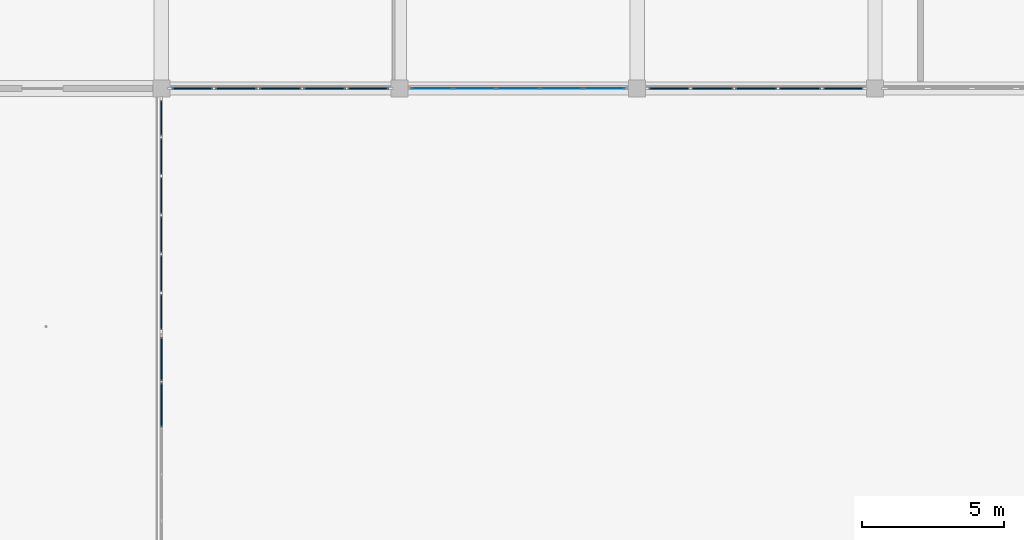
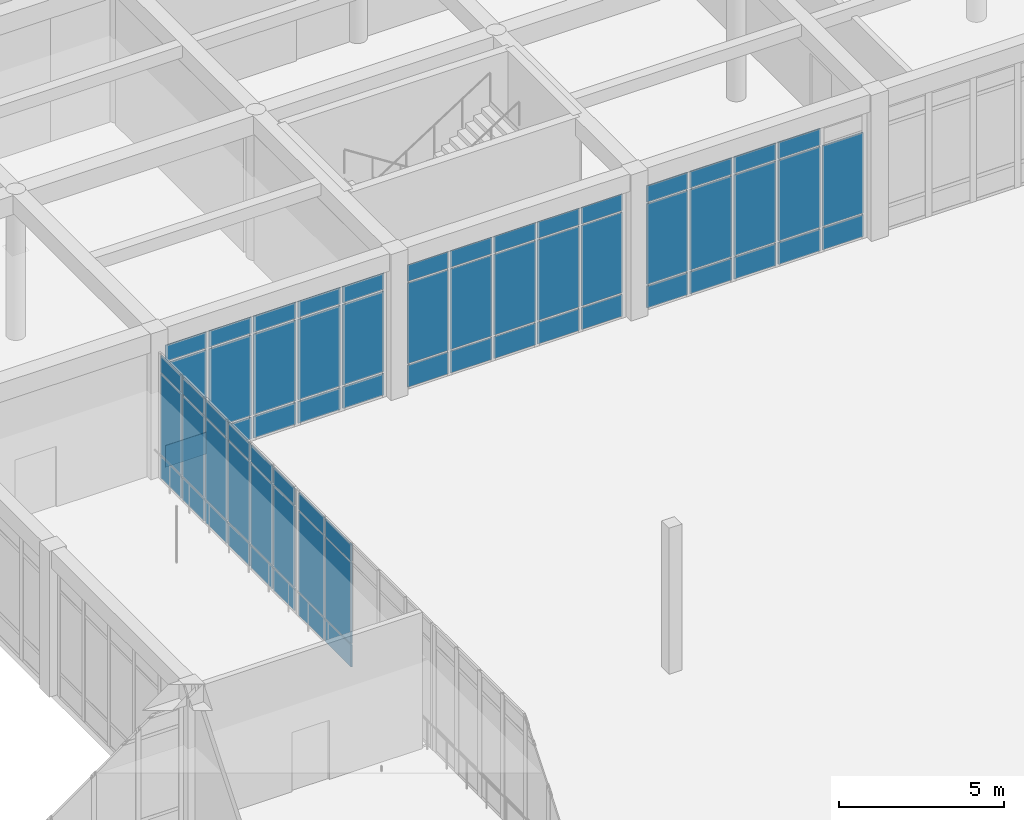
# One storey, part 62 of 157: 68 plates, 5 elements without a shape of their own.
"""IFC4 building model written with IfcOpenShell, lengths in metres."""

from ifc_helpers import new_model, si_unit, direction, frame, origin, origin_2d, place, context, subcontext, project, spatial, rectangle, extrude, material, layer, layer_set, type_object, element, aggregate, save


model = new_model("IFC4")

# Units and contexts
model_context = context("Model", 3, precision=1e-05, world=origin(), true_north=direction((0.0, 1.0)))
body_context = subcontext(model_context, "Body", "Model", "MODEL_VIEW")
ifc_project = project(units=[si_unit("LENGTHUNIT", "METRE"), si_unit("AREAUNIT", "SQUARE_METRE"), si_unit("VOLUMEUNIT", "CUBIC_METRE"), si_unit("PLANEANGLEUNIT", "RADIAN"), si_unit("MASSUNIT", "GRAM", prefix="KILO")], contexts=[model_context])

# Site, building, storey
site_placement = place(None, origin())
site = spatial("IfcSite", under=ifc_project, at=site_placement, CompositionType="ELEMENT")
building_placement = place(site_placement, origin())
building = spatial("IfcBuilding", under=site, at=building_placement, Name="Varncliffe General Hospital", CompositionType="ELEMENT")
storey_placement = place(building_placement, frame((0.0, 0.0, 5.39990234375)))
storey = spatial("IfcBuildingStorey", under=building, at=storey_placement, Name="L01", CompositionType="ELEMENT", Elevation=5.39990234375)

# Curtain wall, plates
ifc_material_1 = material(Name="Triple low-E argon insulated vision glazing", Category="glass")
curtain_wall_type_1 = type_object("IfcCurtainWallType", Name="Unitised Glazed Curtain Wall CW70 (7724x4640)", PredefinedType="USERDEFINED", material=ifc_material_1)
curtain_wall_1_placement = place(storey_placement, origin())
curtain_wall_1 = element("IfcCurtainWall", 1, at=curtain_wall_1_placement, inside=storey, type_object=curtain_wall_type_1, Name="L01 Glazed Curtain Wall CW70-103", ObjectType="GLAZED CURTAIN WALL", PredefinedType="USERDEFINED")
ifc_layer_1 = layer(ifc_material_1, 0.0439453125)
ifc_layer_set_1 = layer_set([ifc_layer_1], Name="Triple low-E argon insulated vision glazing")
plate_type_1 = type_object("IfcPlateType", Name="Curtain Wall Glazing Panel CP12 (44mm)", PredefinedType="CURTAIN_PANEL", material=ifc_layer_set_1)
plate_1_placement = place(storey_placement, frame((91.270751953125, 57.60009765625, 0.06005859375), z_axis=(0.0, 0.0, 1.0), x_axis=(-1.0, 0.0, 0.0)))
plate_1 = element("IfcPlate", 2, at=plate_1_placement, type_object=plate_type_1, Name="CW70 panel 1.1", PredefinedType="CURTAIN_PANEL", context=body_context, shape_type="SweptSolid", body=[
    extrude(rectangle(XDim=1.432373046875, YDim=0.0439453125, at=origin_2d()), origin(), (0.0, 0.0, 1.0), 0.81005859375),
])
plate_2_placement = place(storey_placement, frame((91.270751953125, 57.60009765625, 0.93017578125), z_axis=(0.0, 0.0, 1.0), x_axis=(-1.0, 0.0, 0.0)))
plate_2 = element("IfcPlate", 3, at=plate_2_placement, type_object=plate_type_1, Name="CW70 panel 1.2", PredefinedType="CURTAIN_PANEL", context=body_context, shape_type="SweptSolid", body=[
    extrude(rectangle(XDim=1.432373046875, YDim=0.0439453125, at=origin_2d()), origin(), (0.0, 0.0, 1.0), 2.97998046875),
])
plate_3_placement = place(storey_placement, frame((89.744873046875, 57.60009765625, 0.06005859375), z_axis=(0.0, 0.0, 1.0), x_axis=(-1.0, 0.0, 0.0)))
plate_3 = element("IfcPlate", 4, at=plate_3_placement, type_object=plate_type_1, Name="CW70 panel 2.1", PredefinedType="CURTAIN_PANEL", context=body_context, shape_type="SweptSolid", body=[
    extrude(rectangle(XDim=1.4697265625, YDim=0.0439453125, at=origin_2d()), origin(), (0.0, 0.0, 1.0), 0.81005859375),
])
plate_4_placement = place(storey_placement, frame((89.744873046875, 57.60009765625, 0.93017578125), z_axis=(0.0, 0.0, 1.0), x_axis=(-1.0, 0.0, 0.0)))
plate_4 = element("IfcPlate", 5, at=plate_4_placement, type_object=plate_type_1, Name="CW70 panel 2.2", PredefinedType="CURTAIN_PANEL", context=body_context, shape_type="SweptSolid", body=[
    extrude(rectangle(XDim=1.4697265625, YDim=0.0439453125, at=origin_2d()), origin(), (0.0, 0.0, 1.0), 2.97998046875),
])
plate_5_placement = place(storey_placement, frame((89.744873046875, 57.60009765625, 3.97021484375), z_axis=(0.0, 0.0, 1.0), x_axis=(-1.0, 0.0, 0.0)))
plate_5 = element("IfcPlate", 6, at=plate_5_placement, type_object=plate_type_1, Name="CW70 panel 2.3", PredefinedType="CURTAIN_PANEL", context=body_context, shape_type="SweptSolid", body=[
    extrude(rectangle(XDim=1.4697265625, YDim=0.0439453125, at=origin_2d()), origin(), (0.0, 0.0, 1.0), 0.610107421875),
])
plate_6_placement = place(storey_placement, frame((88.199951171875, 57.60009765625, 0.06005859375), z_axis=(0.0, 0.0, 1.0), x_axis=(-1.0, 0.0, 0.0)))
plate_6 = element("IfcPlate", 7, at=plate_6_placement, type_object=plate_type_1, Name="CW70 panel 3.1", PredefinedType="CURTAIN_PANEL", context=body_context, shape_type="SweptSolid", body=[
    extrude(rectangle(XDim=1.4697265625, YDim=0.0439453125, at=origin_2d()), origin(), (0.0, 0.0, 1.0), 0.81005859375),
])
plate_7_placement = place(storey_placement, frame((88.199951171875, 57.60009765625, 0.93017578125), z_axis=(0.0, 0.0, 1.0), x_axis=(-1.0, 0.0, 0.0)))
plate_7 = element("IfcPlate", 8, at=plate_7_placement, type_object=plate_type_1, Name="CW70 panel 3.2", PredefinedType="CURTAIN_PANEL", context=body_context, shape_type="SweptSolid", body=[
    extrude(rectangle(XDim=1.4697265625, YDim=0.0439453125, at=origin_2d()), origin(), (0.0, 0.0, 1.0), 2.97998046875),
])
plate_8_placement = place(storey_placement, frame((88.199951171875, 57.60009765625, 3.97021484375), z_axis=(0.0, 0.0, 1.0), x_axis=(-1.0, 0.0, 0.0)))
plate_8 = element("IfcPlate", 9, at=plate_8_placement, type_object=plate_type_1, Name="CW70 panel 3.3", PredefinedType="CURTAIN_PANEL", context=body_context, shape_type="SweptSolid", body=[
    extrude(rectangle(XDim=1.4697265625, YDim=0.0439453125, at=origin_2d()), origin(), (0.0, 0.0, 1.0), 0.610107421875),
])
plate_9_placement = place(storey_placement, frame((86.6552734375, 57.60009765625, 0.06005859375), z_axis=(0.0, 0.0, 1.0), x_axis=(-1.0, 0.0, 0.0)))
plate_9 = element("IfcPlate", 10, at=plate_9_placement, type_object=plate_type_1, Name="CW70 panel 4.1", PredefinedType="CURTAIN_PANEL", context=body_context, shape_type="SweptSolid", body=[
    extrude(rectangle(XDim=1.4697265625, YDim=0.0439453125, at=origin_2d()), origin(), (0.0, 0.0, 1.0), 0.81005859375),
])
plate_10_placement = place(storey_placement, frame((86.6552734375, 57.60009765625, 0.93017578125), z_axis=(0.0, 0.0, 1.0), x_axis=(-1.0, 0.0, 0.0)))
plate_10 = element("IfcPlate", 11, at=plate_10_placement, type_object=plate_type_1, Name="CW70 panel 4.2", PredefinedType="CURTAIN_PANEL", context=body_context, shape_type="SweptSolid", body=[
    extrude(rectangle(XDim=1.4697265625, YDim=0.0439453125, at=origin_2d()), origin(), (0.0, 0.0, 1.0), 2.97998046875),
])
plate_11_placement = place(storey_placement, frame((86.6552734375, 57.60009765625, 3.97021484375), z_axis=(0.0, 0.0, 1.0), x_axis=(-1.0, 0.0, 0.0)))
plate_11 = element("IfcPlate", 12, at=plate_11_placement, type_object=plate_type_1, Name="CW70 panel 4.3", PredefinedType="CURTAIN_PANEL", context=body_context, shape_type="SweptSolid", body=[
    extrude(rectangle(XDim=1.4697265625, YDim=0.0439453125, at=origin_2d()), origin(), (0.0, 0.0, 1.0), 0.610107421875),
])
plate_12_placement = place(storey_placement, frame((85.129150390625, 57.60009765625, 0.06005859375), z_axis=(0.0, 0.0, 1.0), x_axis=(-1.0, 0.0, 0.0)))
plate_12 = element("IfcPlate", 13, at=plate_12_placement, type_object=plate_type_1, Name="CW70 panel 5.1", PredefinedType="CURTAIN_PANEL", context=body_context, shape_type="SweptSolid", body=[
    extrude(rectangle(XDim=1.432373046875, YDim=0.0439453125, at=origin_2d()), origin(), (0.0, 0.0, 1.0), 0.81005859375),
])
plate_13_placement = place(storey_placement, frame((85.129150390625, 57.60009765625, 0.93017578125), z_axis=(0.0, 0.0, 1.0), x_axis=(-1.0, 0.0, 0.0)))
plate_13 = element("IfcPlate", 14, at=plate_13_placement, type_object=plate_type_1, Name="CW70 panel 5.2", PredefinedType="CURTAIN_PANEL", context=body_context, shape_type="SweptSolid", body=[
    extrude(rectangle(XDim=1.432373046875, YDim=0.0439453125, at=origin_2d()), origin(), (0.0, 0.0, 1.0), 2.97998046875),
])
plate_14_placement = place(storey_placement, frame((85.129150390625, 57.60009765625, 3.97021484375), z_axis=(0.0, 0.0, 1.0), x_axis=(-1.0, 0.0, 0.0)))
plate_14 = element("IfcPlate", 15, at=plate_14_placement, type_object=plate_type_1, Name="CW70 panel 5.3", PredefinedType="CURTAIN_PANEL", context=body_context, shape_type="SweptSolid", body=[
    extrude(rectangle(XDim=1.432373046875, YDim=0.0439453125, at=origin_2d()), origin(), (0.0, 0.0, 1.0), 0.610107421875),
])
aggregate(curtain_wall_1, [plate_1, plate_2, plate_3, plate_4, plate_5, plate_6, plate_7, plate_8, plate_9, plate_10, plate_11, plate_12, plate_13, plate_14])

curtain_wall_type_2 = type_object("IfcCurtainWallType", Name="Unitised Glazed Curtain Wall CW14 (8260x4640)", PredefinedType="USERDEFINED", material=ifc_material_1)
curtain_wall_2_placement = place(storey_placement, origin())
curtain_wall_2 = element("IfcCurtainWall", 16, at=curtain_wall_2_placement, inside=storey, type_object=curtain_wall_type_2, Name="L01 Glazed Curtain Wall CW14-106", ObjectType="GLAZED CURTAIN WALL", PredefinedType="USERDEFINED")
plate_15_placement = place(storey_placement, frame((67.199951171875, 56.554931640625, 0.06005859375), z_axis=(0.0, 0.0, 1.0), x_axis=(0.0, -1.0, 0.0)))
plate_15 = element("IfcPlate", 17, at=plate_15_placement, type_object=plate_type_1, Name="CW14 panel 1.1", PredefinedType="CURTAIN_PANEL", context=body_context, shape_type="SweptSolid", body=[
    extrude(rectangle(XDim=1.26416015625, YDim=0.0439453125, at=origin_2d()), origin(), (0.0, 0.0, 1.0), 0.81005859375),
])
plate_16_placement = place(storey_placement, frame((67.199951171875, 56.554931640625, 0.93017578125), z_axis=(0.0, 0.0, 1.0), x_axis=(0.0, -1.0, 0.0)))
plate_16 = element("IfcPlate", 18, at=plate_16_placement, type_object=plate_type_1, Name="CW14 panel 1.2", PredefinedType="CURTAIN_PANEL", context=body_context, shape_type="SweptSolid", body=[
    extrude(rectangle(XDim=1.26416015625, YDim=0.0439453125, at=origin_2d()), origin(), (0.0, 0.0, 1.0), 2.97998046875),
])
plate_17_placement = place(storey_placement, frame((67.199951171875, 56.554931640625, 3.97021484375), z_axis=(0.0, 0.0, 1.0), x_axis=(0.0, -1.0, 0.0)))
plate_17 = element("IfcPlate", 19, at=plate_17_placement, type_object=plate_type_1, Name="CW14 panel 1.3", PredefinedType="CURTAIN_PANEL", context=body_context, shape_type="SweptSolid", body=[
    extrude(rectangle(XDim=1.26416015625, YDim=0.0439453125, at=origin_2d()), origin(), (0.0, 0.0, 1.0), 0.610107421875),
])
plate_18_placement = place(storey_placement, frame((67.199951171875, 55.197021484375, 0.06005859375), z_axis=(0.0, 0.0, 1.0), x_axis=(0.0, -1.0, 0.0)))
plate_18 = element("IfcPlate", 20, at=plate_18_placement, type_object=plate_type_1, Name="CW14 panel 2.1", PredefinedType="CURTAIN_PANEL", context=body_context, shape_type="SweptSolid", body=[
    extrude(rectangle(XDim=1.3017578125, YDim=0.0439453125, at=origin_2d()), origin(), (0.0, 0.0, 1.0), 0.81005859375),
])
plate_19_placement = place(storey_placement, frame((67.199951171875, 55.197021484375, 0.93017578125), z_axis=(0.0, 0.0, 1.0), x_axis=(0.0, -1.0, 0.0)))
plate_19 = element("IfcPlate", 21, at=plate_19_placement, type_object=plate_type_1, Name="CW14 panel 2.2", PredefinedType="CURTAIN_PANEL", context=body_context, shape_type="SweptSolid", body=[
    extrude(rectangle(XDim=1.3017578125, YDim=0.0439453125, at=origin_2d()), origin(), (0.0, 0.0, 1.0), 2.97998046875),
])
plate_20_placement = place(storey_placement, frame((67.199951171875, 55.197021484375, 3.97021484375), z_axis=(0.0, 0.0, 1.0), x_axis=(0.0, -1.0, 0.0)))
plate_20 = element("IfcPlate", 22, at=plate_20_placement, type_object=plate_type_1, Name="CW14 panel 2.3", PredefinedType="CURTAIN_PANEL", context=body_context, shape_type="SweptSolid", body=[
    extrude(rectangle(XDim=1.3017578125, YDim=0.0439453125, at=origin_2d()), origin(), (0.0, 0.0, 1.0), 0.610107421875),
])
plate_21_placement = place(storey_placement, frame((67.199951171875, 53.820068359375, 0.06005859375), z_axis=(0.0, 0.0, 1.0), x_axis=(0.0, -1.0, 0.0)))
plate_21 = element("IfcPlate", 23, at=plate_21_placement, type_object=plate_type_1, Name="CW14 panel 3.1", PredefinedType="CURTAIN_PANEL", context=body_context, shape_type="SweptSolid", body=[
    extrude(rectangle(XDim=1.3017578125, YDim=0.0439453125, at=origin_2d()), origin(), (0.0, 0.0, 1.0), 0.81005859375),
])
plate_22_placement = place(storey_placement, frame((67.199951171875, 53.820068359375, 0.93017578125), z_axis=(0.0, 0.0, 1.0), x_axis=(0.0, -1.0, 0.0)))
plate_22 = element("IfcPlate", 24, at=plate_22_placement, type_object=plate_type_1, Name="CW14 panel 3.2", PredefinedType="CURTAIN_PANEL", context=body_context, shape_type="SweptSolid", body=[
    extrude(rectangle(XDim=1.3017578125, YDim=0.0439453125, at=origin_2d()), origin(), (0.0, 0.0, 1.0), 2.97998046875),
])
plate_23_placement = place(storey_placement, frame((67.199951171875, 53.820068359375, 3.97021484375), z_axis=(0.0, 0.0, 1.0), x_axis=(0.0, -1.0, 0.0)))
plate_23 = element("IfcPlate", 25, at=plate_23_placement, type_object=plate_type_1, Name="CW14 panel 3.3", PredefinedType="CURTAIN_PANEL", context=body_context, shape_type="SweptSolid", body=[
    extrude(rectangle(XDim=1.3017578125, YDim=0.0439453125, at=origin_2d()), origin(), (0.0, 0.0, 1.0), 0.610107421875),
])
plate_24_placement = place(storey_placement, frame((67.199951171875, 52.443359375, 0.06005859375), z_axis=(0.0, 0.0, 1.0), x_axis=(0.0, -1.0, 0.0)))
plate_24 = element("IfcPlate", 26, at=plate_24_placement, type_object=plate_type_1, Name="CW14 panel 4.1", PredefinedType="CURTAIN_PANEL", context=body_context, shape_type="SweptSolid", body=[
    extrude(rectangle(XDim=1.3017578125, YDim=0.0439453125, at=origin_2d()), origin(), (0.0, 0.0, 1.0), 0.81005859375),
])
plate_25_placement = place(storey_placement, frame((67.199951171875, 52.443359375, 0.93017578125), z_axis=(0.0, 0.0, 1.0), x_axis=(0.0, -1.0, 0.0)))
plate_25 = element("IfcPlate", 27, at=plate_25_placement, type_object=plate_type_1, Name="CW14 panel 4.2", PredefinedType="CURTAIN_PANEL", context=body_context, shape_type="SweptSolid", body=[
    extrude(rectangle(XDim=1.3017578125, YDim=0.0439453125, at=origin_2d()), origin(), (0.0, 0.0, 1.0), 2.97998046875),
])
plate_26_placement = place(storey_placement, frame((67.199951171875, 52.443359375, 3.97021484375), z_axis=(0.0, 0.0, 1.0), x_axis=(0.0, -1.0, 0.0)))
plate_26 = element("IfcPlate", 28, at=plate_26_placement, type_object=plate_type_1, Name="CW14 panel 4.3", PredefinedType="CURTAIN_PANEL", context=body_context, shape_type="SweptSolid", body=[
    extrude(rectangle(XDim=1.3017578125, YDim=0.0439453125, at=origin_2d()), origin(), (0.0, 0.0, 1.0), 0.610107421875),
])
plate_27_placement = place(storey_placement, frame((67.199951171875, 51.066650390625, 0.06005859375), z_axis=(0.0, 0.0, 1.0), x_axis=(0.0, -1.0, 0.0)))
plate_27 = element("IfcPlate", 29, at=plate_27_placement, type_object=plate_type_1, Name="CW14 panel 5.1", PredefinedType="CURTAIN_PANEL", context=body_context, shape_type="SweptSolid", body=[
    extrude(rectangle(XDim=1.3017578125, YDim=0.0439453125, at=origin_2d()), origin(), (0.0, 0.0, 1.0), 0.81005859375),
])
plate_28_placement = place(storey_placement, frame((67.199951171875, 51.066650390625, 0.93017578125), z_axis=(0.0, 0.0, 1.0), x_axis=(0.0, -1.0, 0.0)))
plate_28 = element("IfcPlate", 30, at=plate_28_placement, type_object=plate_type_1, Name="CW14 panel 5.2", PredefinedType="CURTAIN_PANEL", context=body_context, shape_type="SweptSolid", body=[
    extrude(rectangle(XDim=1.3017578125, YDim=0.0439453125, at=origin_2d()), origin(), (0.0, 0.0, 1.0), 2.97998046875),
])
plate_29_placement = place(storey_placement, frame((67.199951171875, 51.066650390625, 3.97021484375), z_axis=(0.0, 0.0, 1.0), x_axis=(0.0, -1.0, 0.0)))
plate_29 = element("IfcPlate", 31, at=plate_29_placement, type_object=plate_type_1, Name="CW14 panel 5.3", PredefinedType="CURTAIN_PANEL", context=body_context, shape_type="SweptSolid", body=[
    extrude(rectangle(XDim=1.3017578125, YDim=0.0439453125, at=origin_2d()), origin(), (0.0, 0.0, 1.0), 0.610107421875),
])
plate_30_placement = place(storey_placement, frame((67.199951171875, 49.708740234375, 0.06005859375), z_axis=(0.0, 0.0, 1.0), x_axis=(0.0, -1.0, 0.0)))
plate_30 = element("IfcPlate", 32, at=plate_30_placement, type_object=plate_type_1, Name="CW14 panel 6.1", PredefinedType="CURTAIN_PANEL", context=body_context, shape_type="SweptSolid", body=[
    extrude(rectangle(XDim=1.26416015625, YDim=0.0439453125, at=origin_2d()), origin(), (0.0, 0.0, 1.0), 0.81005859375),
])
plate_31_placement = place(storey_placement, frame((67.199951171875, 49.708740234375, 0.93017578125), z_axis=(0.0, 0.0, 1.0), x_axis=(0.0, -1.0, 0.0)))
plate_31 = element("IfcPlate", 33, at=plate_31_placement, type_object=plate_type_1, Name="CW14 panel 6.2", PredefinedType="CURTAIN_PANEL", context=body_context, shape_type="SweptSolid", body=[
    extrude(rectangle(XDim=1.26416015625, YDim=0.0439453125, at=origin_2d()), origin(), (0.0, 0.0, 1.0), 2.97998046875),
])
plate_32_placement = place(storey_placement, frame((67.199951171875, 49.708740234375, 3.97021484375), z_axis=(0.0, 0.0, 1.0), x_axis=(0.0, -1.0, 0.0)))
plate_32 = element("IfcPlate", 34, at=plate_32_placement, type_object=plate_type_1, Name="CW14 panel 6.3", PredefinedType="CURTAIN_PANEL", context=body_context, shape_type="SweptSolid", body=[
    extrude(rectangle(XDim=1.26416015625, YDim=0.0439453125, at=origin_2d()), origin(), (0.0, 0.0, 1.0), 0.610107421875),
])
aggregate(curtain_wall_2, [plate_15, plate_16, plate_17, plate_18, plate_19, plate_20, plate_21, plate_22, plate_23, plate_24, plate_25, plate_26, plate_27, plate_28, plate_29, plate_30, plate_31, plate_32])

curtain_wall_type_3 = type_object("IfcCurtainWallType", Name="Unitised Glazed Curtain Wall CW85 (7804x4640)", PredefinedType="USERDEFINED", material=ifc_material_1)
curtain_wall_3_placement = place(storey_placement, origin())
curtain_wall_3 = element("IfcCurtainWall", 35, at=curtain_wall_3_placement, inside=storey, type_object=curtain_wall_type_3, Name="L01 Glazed Curtain Wall CW85-105", ObjectType="GLAZED CURTAIN WALL", PredefinedType="USERDEFINED")
ifc_layer_2 = layer(ifc_material_1, 0.035888671875)
ifc_layer_set_2 = layer_set([ifc_layer_2], Name="Triple low-E argon insulated vision glazing")
plate_type_2 = type_object("IfcPlateType", Name="Curtain Wall Glazing Panel CP27 (36mm)", PredefinedType="CURTAIN_PANEL", material=ifc_layer_set_2)
plate_33_placement = place(storey_placement, frame((74.5029296875, 57.60009765625, 0.06494140625), z_axis=(0.0, 0.0, 1.0), x_axis=(-1.0, 0.0, 0.0)))
plate_33 = element("IfcPlate", 36, at=plate_33_placement, type_object=plate_type_2, Name="CW85 panel 1.1", PredefinedType="CURTAIN_PANEL", context=body_context, shape_type="SweptSolid", body=[
    extrude(rectangle(XDim=1.4482421875, YDim=0.035888671875, at=origin_2d()), origin(), (0.0, 0.0, 1.0), 0.802490234375),
])
plate_34_placement = place(storey_placement, frame((74.5029296875, 57.60009765625, 0.9326171875), z_axis=(0.0, 0.0, 1.0), x_axis=(-1.0, 0.0, 0.0)))
plate_34 = element("IfcPlate", 37, at=plate_34_placement, type_object=plate_type_2, Name="CW85 panel 1.2", PredefinedType="CURTAIN_PANEL", context=body_context, shape_type="SweptSolid", body=[
    extrude(rectangle(XDim=1.4482421875, YDim=0.035888671875, at=origin_2d()), origin(), (0.0, 0.0, 1.0), 2.97509765625),
])
plate_35_placement = place(storey_placement, frame((74.5029296875, 57.60009765625, 3.97265625), z_axis=(0.0, 0.0, 1.0), x_axis=(-1.0, 0.0, 0.0)))
plate_35 = element("IfcPlate", 38, at=plate_35_placement, type_object=plate_type_2, Name="CW85 panel 1.3", PredefinedType="CURTAIN_PANEL", context=body_context, shape_type="SweptSolid", body=[
    extrude(rectangle(XDim=1.4482421875, YDim=0.035888671875, at=origin_2d()), origin(), (0.0, 0.0, 1.0), 0.6025390625),
])
plate_36_placement = place(storey_placement, frame((72.960693359375, 57.60009765625, 0.06494140625), z_axis=(0.0, 0.0, 1.0), x_axis=(-1.0, 0.0, 0.0)))
plate_36 = element("IfcPlate", 39, at=plate_36_placement, type_object=plate_type_2, Name="CW85 panel 2.1", PredefinedType="CURTAIN_PANEL", context=body_context, shape_type="SweptSolid", body=[
    extrude(rectangle(XDim=1.48583984375, YDim=0.035888671875, at=origin_2d()), origin(), (0.0, 0.0, 1.0), 0.802490234375),
])
plate_37_placement = place(storey_placement, frame((72.960693359375, 57.60009765625, 0.9326171875), z_axis=(0.0, 0.0, 1.0), x_axis=(-1.0, 0.0, 0.0)))
plate_37 = element("IfcPlate", 40, at=plate_37_placement, type_object=plate_type_2, Name="CW85 panel 2.2", PredefinedType="CURTAIN_PANEL", context=body_context, shape_type="SweptSolid", body=[
    extrude(rectangle(XDim=1.48583984375, YDim=0.035888671875, at=origin_2d()), origin(), (0.0, 0.0, 1.0), 2.97509765625),
])
plate_38_placement = place(storey_placement, frame((72.960693359375, 57.60009765625, 3.97265625), z_axis=(0.0, 0.0, 1.0), x_axis=(-1.0, 0.0, 0.0)))
plate_38 = element("IfcPlate", 41, at=plate_38_placement, type_object=plate_type_2, Name="CW85 panel 2.3", PredefinedType="CURTAIN_PANEL", context=body_context, shape_type="SweptSolid", body=[
    extrude(rectangle(XDim=1.48583984375, YDim=0.035888671875, at=origin_2d()), origin(), (0.0, 0.0, 1.0), 0.6025390625),
])
plate_39_placement = place(storey_placement, frame((71.39990234375, 57.60009765625, 0.06494140625), z_axis=(0.0, 0.0, 1.0), x_axis=(-1.0, 0.0, 0.0)))
plate_39 = element("IfcPlate", 42, at=plate_39_placement, type_object=plate_type_2, Name="CW85 panel 3.1", PredefinedType="CURTAIN_PANEL", context=body_context, shape_type="SweptSolid", body=[
    extrude(rectangle(XDim=1.48583984375, YDim=0.035888671875, at=origin_2d()), origin(), (0.0, 0.0, 1.0), 0.802490234375),
])
plate_40_placement = place(storey_placement, frame((71.39990234375, 57.60009765625, 0.9326171875), z_axis=(0.0, 0.0, 1.0), x_axis=(-1.0, 0.0, 0.0)))
plate_40 = element("IfcPlate", 43, at=plate_40_placement, type_object=plate_type_2, Name="CW85 panel 3.2", PredefinedType="CURTAIN_PANEL", context=body_context, shape_type="SweptSolid", body=[
    extrude(rectangle(XDim=1.48583984375, YDim=0.035888671875, at=origin_2d()), origin(), (0.0, 0.0, 1.0), 2.97509765625),
])
plate_41_placement = place(storey_placement, frame((71.39990234375, 57.60009765625, 3.97265625), z_axis=(0.0, 0.0, 1.0), x_axis=(-1.0, 0.0, 0.0)))
plate_41 = element("IfcPlate", 44, at=plate_41_placement, type_object=plate_type_2, Name="CW85 panel 3.3", PredefinedType="CURTAIN_PANEL", context=body_context, shape_type="SweptSolid", body=[
    extrude(rectangle(XDim=1.48583984375, YDim=0.035888671875, at=origin_2d()), origin(), (0.0, 0.0, 1.0), 0.6025390625),
])
plate_42_placement = place(storey_placement, frame((69.839111328125, 57.60009765625, 0.06494140625), z_axis=(0.0, 0.0, 1.0), x_axis=(-1.0, 0.0, 0.0)))
plate_42 = element("IfcPlate", 45, at=plate_42_placement, type_object=plate_type_2, Name="CW85 panel 4.1", PredefinedType="CURTAIN_PANEL", context=body_context, shape_type="SweptSolid", body=[
    extrude(rectangle(XDim=1.48583984375, YDim=0.035888671875, at=origin_2d()), origin(), (0.0, 0.0, 1.0), 0.802490234375),
])
plate_43_placement = place(storey_placement, frame((69.839111328125, 57.60009765625, 0.9326171875), z_axis=(0.0, 0.0, 1.0), x_axis=(-1.0, 0.0, 0.0)))
plate_43 = element("IfcPlate", 46, at=plate_43_placement, type_object=plate_type_2, Name="CW85 panel 4.2", PredefinedType="CURTAIN_PANEL", context=body_context, shape_type="SweptSolid", body=[
    extrude(rectangle(XDim=1.48583984375, YDim=0.035888671875, at=origin_2d()), origin(), (0.0, 0.0, 1.0), 2.97509765625),
])
plate_44_placement = place(storey_placement, frame((69.839111328125, 57.60009765625, 3.97265625), z_axis=(0.0, 0.0, 1.0), x_axis=(-1.0, 0.0, 0.0)))
plate_44 = element("IfcPlate", 47, at=plate_44_placement, type_object=plate_type_2, Name="CW85 panel 4.3", PredefinedType="CURTAIN_PANEL", context=body_context, shape_type="SweptSolid", body=[
    extrude(rectangle(XDim=1.48583984375, YDim=0.035888671875, at=origin_2d()), origin(), (0.0, 0.0, 1.0), 0.6025390625),
])
plate_45_placement = place(storey_placement, frame((68.297119140625, 57.60009765625, 0.06494140625), z_axis=(0.0, 0.0, 1.0), x_axis=(-1.0, 0.0, 0.0)))
plate_45 = element("IfcPlate", 48, at=plate_45_placement, type_object=plate_type_2, Name="CW85 panel 5.1", PredefinedType="CURTAIN_PANEL", context=body_context, shape_type="SweptSolid", body=[
    extrude(rectangle(XDim=1.4482421875, YDim=0.035888671875, at=origin_2d()), origin(), (0.0, 0.0, 1.0), 0.802490234375),
])
plate_46_placement = place(storey_placement, frame((68.297119140625, 57.60009765625, 0.9326171875), z_axis=(0.0, 0.0, 1.0), x_axis=(-1.0, 0.0, 0.0)))
plate_46 = element("IfcPlate", 49, at=plate_46_placement, type_object=plate_type_2, Name="CW85 panel 5.2", PredefinedType="CURTAIN_PANEL", context=body_context, shape_type="SweptSolid", body=[
    extrude(rectangle(XDim=1.4482421875, YDim=0.035888671875, at=origin_2d()), origin(), (0.0, 0.0, 1.0), 2.97509765625),
])
plate_47_placement = place(storey_placement, frame((68.297119140625, 57.60009765625, 3.97265625), z_axis=(0.0, 0.0, 1.0), x_axis=(-1.0, 0.0, 0.0)))
plate_47 = element("IfcPlate", 50, at=plate_47_placement, type_object=plate_type_2, Name="CW85 panel 5.3", PredefinedType="CURTAIN_PANEL", context=body_context, shape_type="SweptSolid", body=[
    extrude(rectangle(XDim=1.4482421875, YDim=0.035888671875, at=origin_2d()), origin(), (0.0, 0.0, 1.0), 0.6025390625),
])
aggregate(curtain_wall_3, [plate_33, plate_34, plate_35, plate_36, plate_37, plate_38, plate_39, plate_40, plate_41, plate_42, plate_43, plate_44, plate_45, plate_46, plate_47])

curtain_wall_type_4 = type_object("IfcCurtainWallType", Name="Unitised Glazed Curtain Wall CW16 (8180x4640)", PredefinedType="USERDEFINED", material=ifc_material_1)
curtain_wall_4_placement = place(storey_placement, origin())
curtain_wall_4 = element("IfcCurtainWall", 51, at=curtain_wall_4_placement, inside=storey, type_object=curtain_wall_type_4, Name="L01 Glazed Curtain Wall CW16-107", ObjectType="GLAZED CURTAIN WALL", PredefinedType="USERDEFINED")
ifc_material_2 = material(Name="Insulated ceramic-fritted spandrel glazing panel", Category="glass")
ifc_layer_3 = layer(ifc_material_2, 0.052001953125)
ifc_layer_set_3 = layer_set([ifc_layer_3], Name="Insulated ceramic-fritted spandrel glazing panel")
plate_type_3 = type_object("IfcPlateType", Name="Curtain Wall Glazing Panel CP46 (52mm)", PredefinedType="CURTAIN_PANEL", material=ifc_layer_set_3)
plate_48_placement = place(storey_placement, frame((67.199951171875, 48.04736328125, 0.06005859375), z_axis=(0.0, 0.0, 1.0), x_axis=(0.0, -1.0, 0.0)))
plate_48 = element("IfcPlate", 52, at=plate_48_placement, type_object=plate_type_3, Name="CW16 panel 1.1", PredefinedType="CURTAIN_PANEL", context=body_context, shape_type="SweptSolid", body=[
    extrude(rectangle(XDim=1.53857421875, YDim=0.052001953125, at=origin_2d()), origin(), (0.0, 0.0, 1.0), 0.81005859375),
])
plate_49_placement = place(storey_placement, frame((67.199951171875, 48.04736328125, 0.93017578125), z_axis=(0.0, 0.0, 1.0), x_axis=(0.0, -1.0, 0.0)))
plate_49 = element("IfcPlate", 53, at=plate_49_placement, type_object=plate_type_3, Name="CW16 panel 1.2", PredefinedType="CURTAIN_PANEL", context=body_context, shape_type="SweptSolid", body=[
    extrude(rectangle(XDim=1.53857421875, YDim=0.052001953125, at=origin_2d()), origin(), (0.0, 0.0, 1.0), 2.97998046875),
])
plate_50_placement = place(storey_placement, frame((67.199951171875, 48.04736328125, 3.97021484375), z_axis=(0.0, 0.0, 1.0), x_axis=(0.0, -1.0, 0.0)))
plate_50 = element("IfcPlate", 54, at=plate_50_placement, type_object=plate_type_3, Name="CW16 panel 1.3", PredefinedType="CURTAIN_PANEL", context=body_context, shape_type="SweptSolid", body=[
    extrude(rectangle(XDim=1.53857421875, YDim=0.052001953125, at=origin_2d()), origin(), (0.0, 0.0, 1.0), 0.610107421875),
])
plate_51_placement = place(storey_placement, frame((67.199951171875, 46.427490234375, 0.06005859375), z_axis=(0.0, 0.0, 1.0), x_axis=(0.0, -1.0, 0.0)))
plate_51 = element("IfcPlate", 55, at=plate_51_placement, type_object=plate_type_3, Name="CW16 panel 2.1", PredefinedType="CURTAIN_PANEL", context=body_context, shape_type="SweptSolid", body=[
    extrude(rectangle(XDim=1.571044921875, YDim=0.052001953125, at=origin_2d()), origin(), (0.0, 0.0, 1.0), 0.81005859375),
])
plate_52_placement = place(storey_placement, frame((67.199951171875, 46.427490234375, 0.93017578125), z_axis=(0.0, 0.0, 1.0), x_axis=(0.0, -1.0, 0.0)))
plate_52 = element("IfcPlate", 56, at=plate_52_placement, type_object=plate_type_3, Name="CW16 panel 2.2", PredefinedType="CURTAIN_PANEL", context=body_context, shape_type="SweptSolid", body=[
    extrude(rectangle(XDim=1.571044921875, YDim=0.052001953125, at=origin_2d()), origin(), (0.0, 0.0, 1.0), 2.97998046875),
])
plate_53_placement = place(storey_placement, frame((67.199951171875, 46.427490234375, 3.97021484375), z_axis=(0.0, 0.0, 1.0), x_axis=(0.0, -1.0, 0.0)))
plate_53 = element("IfcPlate", 57, at=plate_53_placement, type_object=plate_type_3, Name="CW16 panel 2.3", PredefinedType="CURTAIN_PANEL", context=body_context, shape_type="SweptSolid", body=[
    extrude(rectangle(XDim=1.571044921875, YDim=0.052001953125, at=origin_2d()), origin(), (0.0, 0.0, 1.0), 0.610107421875),
])
aggregate(curtain_wall_4, [plate_48, plate_49, plate_50, plate_51, plate_52, plate_53])

curtain_wall_type_5 = type_object("IfcCurtainWallType", Name="Unitised Glazed Curtain Wall CW27 (7644x4640)", PredefinedType="USERDEFINED", material=ifc_material_1)
curtain_wall_5_placement = place(storey_placement, origin())
curtain_wall_5 = element("IfcCurtainWall", 58, at=curtain_wall_5_placement, inside=storey, type_object=curtain_wall_type_5, Name="L01 Glazed Curtain Wall CW27-104", ObjectType="GLAZED CURTAIN WALL", PredefinedType="USERDEFINED")
ifc_layer_4 = layer(ifc_material_1, 0.028076171875)
ifc_layer_set_4 = layer_set([ifc_layer_4], Name="Triple low-E argon insulated vision glazing")
plate_type_4 = type_object("IfcPlateType", Name="Curtain Wall Glazing Panel CP48 (28mm)", PredefinedType="CURTAIN_PANEL", material=ifc_layer_set_4)
plate_54_placement = place(storey_placement, frame((82.84130859375, 57.60009765625, 0.06005859375), z_axis=(0.0, 0.0, 1.0), x_axis=(-1.0, 0.0, 0.0)))
plate_54 = element("IfcPlate", 59, at=plate_54_placement, type_object=plate_type_4, Name="CW27 panel 1.1", PredefinedType="CURTAIN_PANEL", context=body_context, shape_type="SweptSolid", body=[
    extrude(rectangle(XDim=1.431396484375, YDim=0.028076171875, at=origin_2d()), origin(), (0.0, 0.0, 1.0), 0.81005859375),
])
plate_55_placement = place(storey_placement, frame((82.84130859375, 57.60009765625, 0.93017578125), z_axis=(0.0, 0.0, 1.0), x_axis=(-1.0, 0.0, 0.0)))
plate_55 = element("IfcPlate", 60, at=plate_55_placement, type_object=plate_type_4, Name="CW27 panel 1.2", PredefinedType="CURTAIN_PANEL", context=body_context, shape_type="SweptSolid", body=[
    extrude(rectangle(XDim=1.431396484375, YDim=0.028076171875, at=origin_2d()), origin(), (0.0, 0.0, 1.0), 2.97998046875),
])
plate_56_placement = place(storey_placement, frame((82.84130859375, 57.60009765625, 3.97021484375), z_axis=(0.0, 0.0, 1.0), x_axis=(-1.0, 0.0, 0.0)))
plate_56 = element("IfcPlate", 61, at=plate_56_placement, type_object=plate_type_4, Name="CW27 panel 1.3", PredefinedType="CURTAIN_PANEL", context=body_context, shape_type="SweptSolid", body=[
    extrude(rectangle(XDim=1.431396484375, YDim=0.028076171875, at=origin_2d()), origin(), (0.0, 0.0, 1.0), 0.610107421875),
])
plate_57_placement = place(storey_placement, frame((81.328857421875, 57.60009765625, 0.06005859375), z_axis=(0.0, 0.0, 1.0), x_axis=(-1.0, 0.0, 0.0)))
plate_57 = element("IfcPlate", 62, at=plate_57_placement, type_object=plate_type_4, Name="CW27 panel 2.1", PredefinedType="CURTAIN_PANEL", context=body_context, shape_type="SweptSolid", body=[
    extrude(rectangle(XDim=1.4638671875, YDim=0.028076171875, at=origin_2d()), origin(), (0.0, 0.0, 1.0), 0.81005859375),
])
plate_58_placement = place(storey_placement, frame((81.328857421875, 57.60009765625, 0.93017578125), z_axis=(0.0, 0.0, 1.0), x_axis=(-1.0, 0.0, 0.0)))
plate_58 = element("IfcPlate", 63, at=plate_58_placement, type_object=plate_type_4, Name="CW27 panel 2.2", PredefinedType="CURTAIN_PANEL", context=body_context, shape_type="SweptSolid", body=[
    extrude(rectangle(XDim=1.4638671875, YDim=0.028076171875, at=origin_2d()), origin(), (0.0, 0.0, 1.0), 2.97998046875),
])
plate_59_placement = place(storey_placement, frame((81.328857421875, 57.60009765625, 3.97021484375), z_axis=(0.0, 0.0, 1.0), x_axis=(-1.0, 0.0, 0.0)))
plate_59 = element("IfcPlate", 64, at=plate_59_placement, type_object=plate_type_4, Name="CW27 panel 2.3", PredefinedType="CURTAIN_PANEL", context=body_context, shape_type="SweptSolid", body=[
    extrude(rectangle(XDim=1.4638671875, YDim=0.028076171875, at=origin_2d()), origin(), (0.0, 0.0, 1.0), 0.610107421875),
])
plate_60_placement = place(storey_placement, frame((79.800048828125, 57.60009765625, 0.06005859375), z_axis=(0.0, 0.0, 1.0), x_axis=(-1.0, 0.0, 0.0)))
plate_60 = element("IfcPlate", 65, at=plate_60_placement, type_object=plate_type_4, Name="CW27 panel 3.1", PredefinedType="CURTAIN_PANEL", context=body_context, shape_type="SweptSolid", body=[
    extrude(rectangle(XDim=1.4638671875, YDim=0.028076171875, at=origin_2d()), origin(), (0.0, 0.0, 1.0), 0.81005859375),
])
plate_61_placement = place(storey_placement, frame((79.800048828125, 57.60009765625, 0.93017578125), z_axis=(0.0, 0.0, 1.0), x_axis=(-1.0, 0.0, 0.0)))
plate_61 = element("IfcPlate", 66, at=plate_61_placement, type_object=plate_type_4, Name="CW27 panel 3.2", PredefinedType="CURTAIN_PANEL", context=body_context, shape_type="SweptSolid", body=[
    extrude(rectangle(XDim=1.4638671875, YDim=0.028076171875, at=origin_2d()), origin(), (0.0, 0.0, 1.0), 2.97998046875),
])
plate_62_placement = place(storey_placement, frame((79.800048828125, 57.60009765625, 3.97021484375), z_axis=(0.0, 0.0, 1.0), x_axis=(-1.0, 0.0, 0.0)))
plate_62 = element("IfcPlate", 67, at=plate_62_placement, type_object=plate_type_4, Name="CW27 panel 3.3", PredefinedType="CURTAIN_PANEL", context=body_context, shape_type="SweptSolid", body=[
    extrude(rectangle(XDim=1.4638671875, YDim=0.028076171875, at=origin_2d()), origin(), (0.0, 0.0, 1.0), 0.610107421875),
])
plate_63_placement = place(storey_placement, frame((78.271240234375, 57.60009765625, 0.06005859375), z_axis=(0.0, 0.0, 1.0), x_axis=(-1.0, 0.0, 0.0)))
plate_63 = element("IfcPlate", 68, at=plate_63_placement, type_object=plate_type_4, Name="CW27 panel 4.1", PredefinedType="CURTAIN_PANEL", context=body_context, shape_type="SweptSolid", body=[
    extrude(rectangle(XDim=1.4638671875, YDim=0.028076171875, at=origin_2d()), origin(), (0.0, 0.0, 1.0), 0.81005859375),
])
plate_64_placement = place(storey_placement, frame((78.271240234375, 57.60009765625, 0.93017578125), z_axis=(0.0, 0.0, 1.0), x_axis=(-1.0, 0.0, 0.0)))
plate_64 = element("IfcPlate", 69, at=plate_64_placement, type_object=plate_type_4, Name="CW27 panel 4.2", PredefinedType="CURTAIN_PANEL", context=body_context, shape_type="SweptSolid", body=[
    extrude(rectangle(XDim=1.4638671875, YDim=0.028076171875, at=origin_2d()), origin(), (0.0, 0.0, 1.0), 2.97998046875),
])
plate_65_placement = place(storey_placement, frame((78.271240234375, 57.60009765625, 3.97021484375), z_axis=(0.0, 0.0, 1.0), x_axis=(-1.0, 0.0, 0.0)))
plate_65 = element("IfcPlate", 70, at=plate_65_placement, type_object=plate_type_4, Name="CW27 panel 4.3", PredefinedType="CURTAIN_PANEL", context=body_context, shape_type="SweptSolid", body=[
    extrude(rectangle(XDim=1.4638671875, YDim=0.028076171875, at=origin_2d()), origin(), (0.0, 0.0, 1.0), 0.610107421875),
])
plate_66_placement = place(storey_placement, frame((76.758544921875, 57.60009765625, 0.06005859375), z_axis=(0.0, 0.0, 1.0), x_axis=(-1.0, 0.0, 0.0)))
plate_66 = element("IfcPlate", 71, at=plate_66_placement, type_object=plate_type_4, Name="CW27 panel 5.1", PredefinedType="CURTAIN_PANEL", context=body_context, shape_type="SweptSolid", body=[
    extrude(rectangle(XDim=1.431396484375, YDim=0.028076171875, at=origin_2d()), origin(), (0.0, 0.0, 1.0), 0.81005859375),
])
plate_67_placement = place(storey_placement, frame((76.758544921875, 57.60009765625, 0.93017578125), z_axis=(0.0, 0.0, 1.0), x_axis=(-1.0, 0.0, 0.0)))
plate_67 = element("IfcPlate", 72, at=plate_67_placement, type_object=plate_type_4, Name="CW27 panel 5.2", PredefinedType="CURTAIN_PANEL", context=body_context, shape_type="SweptSolid", body=[
    extrude(rectangle(XDim=1.431396484375, YDim=0.028076171875, at=origin_2d()), origin(), (0.0, 0.0, 1.0), 2.97998046875),
])
plate_68_placement = place(storey_placement, frame((76.758544921875, 57.60009765625, 3.97021484375), z_axis=(0.0, 0.0, 1.0), x_axis=(-1.0, 0.0, 0.0)))
plate_68 = element("IfcPlate", 73, at=plate_68_placement, type_object=plate_type_4, Name="CW27 panel 5.3", PredefinedType="CURTAIN_PANEL", context=body_context, shape_type="SweptSolid", body=[
    extrude(rectangle(XDim=1.431396484375, YDim=0.028076171875, at=origin_2d()), origin(), (0.0, 0.0, 1.0), 0.610107421875),
])
aggregate(curtain_wall_5, [plate_54, plate_55, plate_56, plate_57, plate_58, plate_59, plate_60, plate_61, plate_62, plate_63, plate_64, plate_65, plate_66, plate_67, plate_68])

save(model, "model.ifc")
